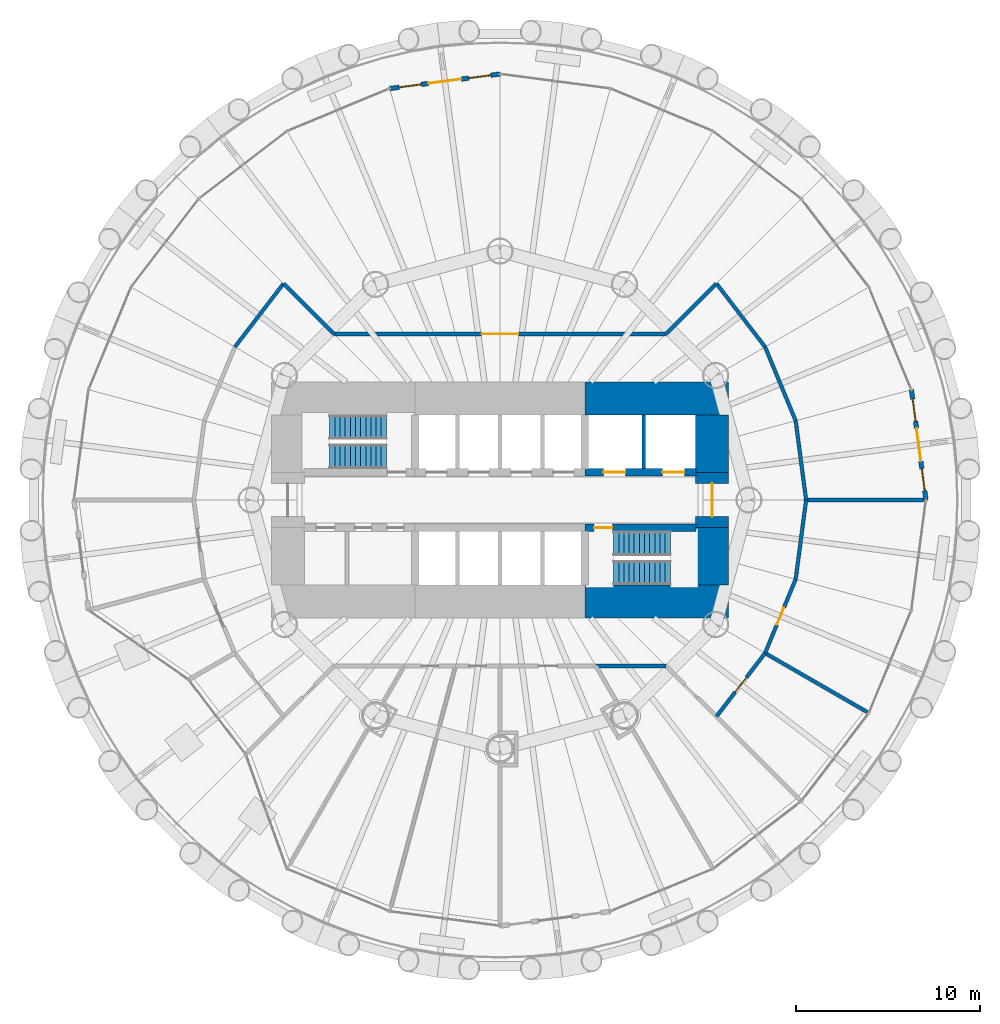
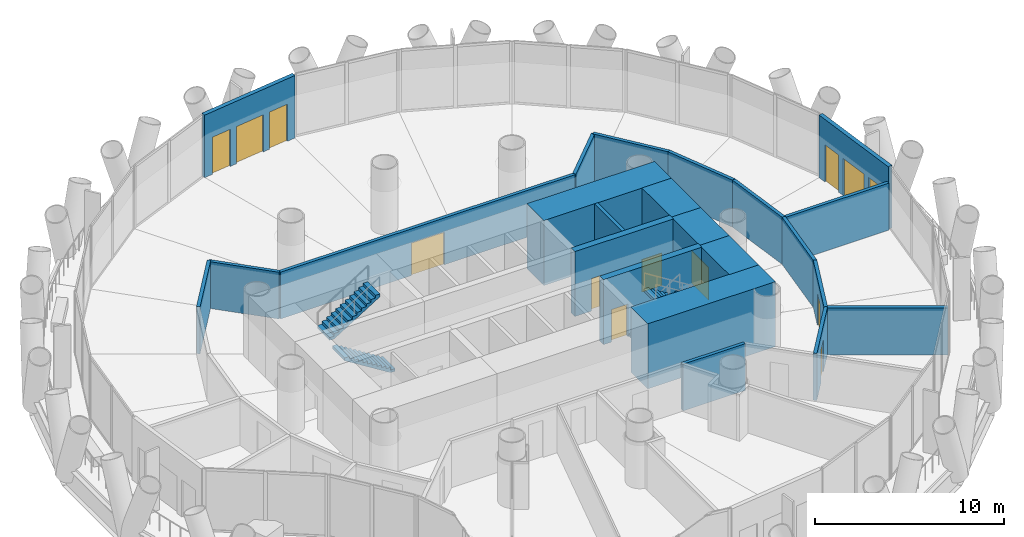
# One storey, part 10 of 14: 23 walls, 9 doors, 4 stair flights, 4 windows, 13 openings, 2 elements without a shape of their own.
"""IFC4 building model written with IfcOpenShell, lengths in metres."""

import ifcopenshell
import ifcopenshell.guid

model = None  # the IFC model being written
_history = None  # IfcOwnerHistory: only IFC2X3 demands one
_inside = {}  # id of a spatial element -> (the spatial element, [elements in it])
_under = {}  # id of a project, library or spatial element -> (it, [spatial elements below it])
_declared = {}  # id of a project -> (the project, [libraries it declares])
_typed = {}  # id of a type object -> (the type object, [elements of that type])
_made_of = {}  # id of a material, layer set ... -> (it, [elements and type objects made of it])


def new_model(schema):
    """Start an empty IFC model of exactly this schema.

    Asked for "IFC4X3", IfcOpenShell would pick the latest addendum, in which some entities
    have other attributes; the version numbers below select the first issue.
    IFC2X3 requires an IfcOwnerHistory on every rooted entity: one is made here for all.
    """
    global model, _history
    if schema == "IFC4X3":
        model = ifcopenshell.file(schema_version=(4, 3, 0, 0))
    else:
        model = ifcopenshell.file(schema=schema)
    _inside.clear()
    _under.clear()
    _declared.clear()
    _typed.clear()
    _made_of.clear()
    _history = None
    if model.schema == "IFC2X3":
        org = make("IfcOrganization", Name="unknown")
        user = make(
            "IfcPersonAndOrganization",
            ThePerson=make("IfcPerson", FamilyName="unknown"),
            TheOrganization=org,
        )
        app = make(
            "IfcApplication",
            ApplicationDeveloper=org,
            Version="unknown",
            ApplicationFullName="unknown",
            ApplicationIdentifier="unknown",
        )
        _history = make(
            "IfcOwnerHistory",
            OwningUser=user,
            OwningApplication=app,
            ChangeAction="ADDED",
            CreationDate=0,
        )
    return model


def make(cls, **values):
    """One entity of the class cls with the attributes given. An attribute that is None is left unset."""
    return model.create_entity(
        cls, **{name: value for name, value in values.items() if value is not None}
    )


def rooted(cls, **values):
    """An entity with a GlobalId (a new one), such as an element, a storey or a relation."""
    return make(cls, GlobalId=ifcopenshell.guid.new(), OwnerHistory=_history, **values)


def si_unit(unit_type, name, prefix=None):
    """IfcSIUnit, for example si_unit("LENGTHUNIT", "METRE", prefix="MILLI")."""
    return make("IfcSIUnit", UnitType=unit_type, Prefix=prefix, Name=name)


def assignment(units):
    """IfcUnitAssignment: the units of a project."""
    return None if units is None else make("IfcUnitAssignment", Units=units)


def point(xyz):
    """IfcCartesianPoint."""
    return None if xyz is None else make("IfcCartesianPoint", Coordinates=xyz)


def direction(xyz):
    """IfcDirection."""
    return None if xyz is None else make("IfcDirection", DirectionRatios=xyz)


def frame(location, z_axis=None, x_axis=None):
    """IfcAxis2Placement3D, a coordinate frame: its origin and axes. An axis left out is left unset."""
    return make(
        "IfcAxis2Placement3D",
        Location=point(location),
        Axis=direction(z_axis),
        RefDirection=direction(x_axis),
    )


def frame_2d(location, x_axis=None):
    """IfcAxis2Placement2D, a coordinate frame in the plane: its origin and x axis."""
    return make(
        "IfcAxis2Placement2D", Location=point(location), RefDirection=direction(x_axis)
    )


def origin():
    """The frame at (0, 0, 0) with its axes left unset."""
    return frame((0.0, 0.0, 0.0))


def place(relative_to, where):
    """IfcLocalPlacement: puts the frame where relative to a parent placement (None: the world)."""
    return make(
        "IfcLocalPlacement", PlacementRelTo=relative_to, RelativePlacement=where
    )


def context(
    kind, dimensions, precision=None, world=None, true_north=None, identifier=None
):
    """IfcGeometricRepresentationContext, for example the 3D "Model" context."""
    return make(
        "IfcGeometricRepresentationContext",
        ContextIdentifier=identifier,
        ContextType=kind,
        CoordinateSpaceDimension=dimensions,
        Precision=precision,
        WorldCoordinateSystem=world,
        TrueNorth=true_north,
    )


def subcontext(parent, identifier, kind, view, scale=None):
    """IfcGeometricRepresentationSubContext, for example "Body" below "Model"."""
    return make(
        "IfcGeometricRepresentationSubContext",
        ContextIdentifier=identifier,
        ContextType=kind,
        ParentContext=parent,
        TargetScale=scale,
        TargetView=view,
    )


def project(units=None, contexts=None):
    """IfcProject with its units and contexts."""
    return rooted(
        "IfcProject",
        Name="project",
        RepresentationContexts=contexts,
        UnitsInContext=assignment(units),
    )


def spatial(cls, under=None, at=None, **own):
    """A site, building, storey or space (cls), placed at a placement, below another one or the project."""
    s = rooted(cls, ObjectPlacement=at, **own)
    if under is not None:
        _under.setdefault(under.id(), (under, []))[1].append(s)
    return s


def polyline(points):
    """IfcPolyline through the points."""
    return make("IfcPolyline", Points=[point(p) for p in points])


def profile(cls, at=None, kind="AREA", **sizes):
    """A parametric profile (cls). Its sizes go by their IFC names, for example OverallWidth=200.0."""
    return make(cls, ProfileType=kind, Position=at, **sizes)


def rectangle(**sizes):
    """IfcRectangleProfileDef."""
    return profile("IfcRectangleProfileDef", **sizes)


def outline(outer, holes=None, kind="AREA"):
    """IfcArbitraryClosedProfileDef: a profile drawn as a closed curve; with holes, ...WithVoids."""
    if holes is None:
        return make("IfcArbitraryClosedProfileDef", ProfileType=kind, OuterCurve=outer)
    return make(
        "IfcArbitraryProfileDefWithVoids",
        ProfileType=kind,
        OuterCurve=outer,
        InnerCurves=holes,
    )


def extrude(swept, where, along, depth):
    """IfcExtrudedAreaSolid: the profile swept, set in the frame where, extruded along a direction by depth."""
    return make(
        "IfcExtrudedAreaSolid",
        SweptArea=swept,
        Position=where,
        ExtrudedDirection=direction(along),
        Depth=depth,
    )


def shape(context_of_items, identifier, shape_type, items):
    """IfcShapeRepresentation: the items that make up one representation, for example the "Body"."""
    return make(
        "IfcShapeRepresentation",
        ContextOfItems=context_of_items,
        RepresentationIdentifier=identifier,
        RepresentationType=shape_type,
        Items=items,
    )


def material(Name=None, Category=None):
    """IfcMaterial."""
    return make("IfcMaterial", Name=Name, Category=Category)


def layer(
    of_material, thickness, ventilated=None, Name=None, Category=None, Priority=None
):
    """IfcMaterialLayer: one layer of a wall or slab, of a material (None: an air gap)."""
    return make(
        "IfcMaterialLayer",
        Material=of_material,
        LayerThickness=thickness,
        IsVentilated=ventilated,
        Name=Name,
        Category=Category,
        Priority=Priority,
    )


def layer_set(layers, Name=None):
    """IfcMaterialLayerSet."""
    return make("IfcMaterialLayerSet", MaterialLayers=layers, LayerSetName=Name)


def made_of(thing, what):
    """Note that an element or type object is made of a material, layer set ...; save() writes the relation."""
    if what is not None:
        _made_of.setdefault(what.id(), (what, []))[1].append(thing)
    return thing


def type_object(cls, material=None, **own):
    """A type object (cls), such as IfcWallType, which elements share."""
    return made_of(rooted(cls, **own), material)


def element(
    cls,
    number,
    at=None,
    inside=None,
    cuts=None,
    type_object=None,
    material=None,
    context=None,
    identifier="Body",
    shape_type=None,
    held_by="IfcProductDefinitionShape",
    body=None,
    shapes=None,
    **own,
):
    """One element of the class cls, such as IfcWall. Its Tag is "e" and its number.

    at: its placement. inside: the storey or other place that contains it. cuts: it is an
    opening in that element (IfcRelVoidsElement). A single representation is given by context,
    identifier, shape_type and body (its items); several are given by shapes. held_by: the class
    of the entity that holds the representations. save() writes the other relations.
    """
    e = rooted(cls, Tag="e%d" % number, ObjectPlacement=at, **own)
    if body is not None:
        shapes = [shape(context, identifier, shape_type, body)]
    if shapes is not None:
        e.Representation = make(held_by, Representations=shapes)
    if inside is not None:
        _inside.setdefault(inside.id(), (inside, []))[1].append(e)
    if cuts is not None:
        rooted(
            "IfcRelVoidsElement", RelatingBuildingElement=cuts, RelatedOpeningElement=e
        )
    if type_object is not None:
        _typed.setdefault(type_object.id(), (type_object, []))[1].append(e)
    return made_of(e, material)


def fill(opening, filler):
    """IfcRelFillsElement: the door or window that sits in an opening."""
    return rooted(
        "IfcRelFillsElement",
        RelatingOpeningElement=opening,
        RelatedBuildingElement=filler,
    )


def aggregate(whole, parts):
    """IfcRelAggregates: a whole, such as a stair, and the parts it consists of."""
    return rooted("IfcRelAggregates", RelatingObject=whole, RelatedObjects=parts)


def save(model, path):
    """Write the relations noted so far, then the file.

    IfcRelAggregates (storeys below a building ...), IfcRelContainedInSpatialStructure (elements
    in a storey), IfcRelDefinesByType, IfcRelAssociatesMaterial and IfcRelDeclares: one each for
    every whole, place, type object, material and project.
    """
    for whole, parts in _under.values():
        aggregate(whole, parts)
    for where, things in _inside.values():
        rooted(
            "IfcRelContainedInSpatialStructure",
            RelatedElements=things,
            RelatingStructure=where,
        )
    for kind, things in _typed.values():
        rooted("IfcRelDefinesByType", RelatedObjects=things, RelatingType=kind)
    for what, things in _made_of.values():
        rooted("IfcRelAssociatesMaterial", RelatedObjects=things, RelatingMaterial=what)
    for by, libraries in _declared.values():
        rooted("IfcRelDeclares", RelatingContext=by, RelatedDefinitions=libraries)
    model.write(path)


model = new_model("IFC4")

# Units and contexts
model_context = context("Model", 3, precision=1e-05, world=origin(), true_north=direction((0.0, 1.0)))
body_context = subcontext(model_context, "Body", "Model", "MODEL_VIEW")
ifc_project = project(units=[si_unit("LENGTHUNIT", "METRE"), si_unit("AREAUNIT", "SQUARE_METRE"), si_unit("VOLUMEUNIT", "CUBIC_METRE"), si_unit("PLANEANGLEUNIT", "RADIAN"), si_unit("MASSUNIT", "GRAM", prefix="KILO")], contexts=[model_context])

# Site, building, storey
site_placement = place(None, origin())
site = spatial("IfcSite", under=ifc_project, at=site_placement, CompositionType="ELEMENT")
building_placement = place(site_placement, origin())
building = spatial("IfcBuilding", under=site, at=building_placement, Name="Qaws Media Tower", CompositionType="ELEMENT")
storey_placement = place(building_placement, frame((0.0, 0.0, 84.800048828125)))
storey = spatial("IfcBuildingStorey", under=building, at=storey_placement, Name="L18", CompositionType="ELEMENT", Elevation=84.800048828125)

# Wall, openings, door, windows
ifc_material_1 = material(Name="Precast concrete, exposed finish", Category="concrete")
ifc_layer_1 = layer(ifc_material_1, 0.25)
ifc_layer_set_1 = layer_set([ifc_layer_1], Name="Balcony door wall 250")
wall_type_1 = type_object("IfcWallType", Name="Balcony door wall 250", PredefinedType="SOLIDWALL", material=ifc_layer_set_1)
wall_1_placement = place(storey_placement, frame((83.10009765625, 50.0, 0.0), z_axis=(0.0, 0.0, 1.0), x_axis=(-0.130524679454, 0.991445060532, 0.0)))
wall_1 = element("IfcWall", 1, at=wall_1_placement, inside=storey, type_object=wall_type_1, Name="W156 EW1 balcony door wall L18-01", PredefinedType="SOLIDWALL", context=body_context, shape_type="SweptSolid", body=[
    extrude(rectangle(XDim=6.0302734375, YDim=0.25, at=frame_2d((3.01513671875, 0.0))), origin(), (0.0, 0.0, 1.0), 4.0400390625),
])
opening_1_placement = place(wall_1_placement, frame((2.115234375, 0.0, 0.0)))
opening_1 = element("IfcOpeningElement", 2, at=opening_1_placement, cuts=wall_1, Name="Opening D7", PredefinedType="OPENING", context=body_context, shape_type="SweptSolid", body=[
    extrude(rectangle(XDim=1.800048828125, YDim=2.39990234375, at=frame_2d((0.89990234375, 1.199951171875))), frame((0.0, 0.135009765625, 0.0), z_axis=(0.0, -1.0, 0.0), x_axis=(1.0, 0.0, 0.0)), (0.0, 0.0, 1.0), 0.27001953125),
])
opening_2_placement = place(wall_1_placement, frame((0.51513671875, 0.0, 0.0)))
opening_2 = element("IfcOpeningElement", 3, at=opening_2_placement, cuts=wall_1, Name="Opening W1", PredefinedType="OPENING", context=body_context, shape_type="SweptSolid", body=[
    extrude(rectangle(XDim=1.199951171875, YDim=2.39990234375, at=frame_2d((0.60009765625, 1.199951171875))), frame((0.0, 0.135009765625, 0.0), z_axis=(0.0, -1.0, 0.0), x_axis=(1.0, 0.0, 0.0)), (0.0, 0.0, 1.0), 0.27001953125),
])
opening_3_placement = place(wall_1_placement, frame((4.315185546875, 0.0, 0.0)))
opening_3 = element("IfcOpeningElement", 4, at=opening_3_placement, cuts=wall_1, Name="Opening W1", PredefinedType="OPENING", context=body_context, shape_type="SweptSolid", body=[
    extrude(rectangle(XDim=1.199951171875, YDim=2.39990234375, at=frame_2d((0.60009765625, 1.199951171875))), frame((0.0, 0.135009765625, 0.0), z_axis=(0.0, -1.0, 0.0), x_axis=(1.0, 0.0, 0.0)), (0.0, 0.0, 1.0), 0.27001953125),
])
ifc_material_2 = material(Name="Aluminium and clear glass", Category="aluminium")
door_type_1 = type_object("IfcDoorType", Name="Balcony door pair 1800", OperationType="DOUBLE_DOOR_SLIDING", PredefinedType="DOOR", material=ifc_material_2)
door_1_placement = place(opening_1_placement, origin())
door_1 = element("IfcDoor", 5, at=door_1_placement, inside=storey, type_object=door_type_1, Name="D7 balcony door L18-01 in wall W156", OperationType="DOUBLE_DOOR_SLIDING", OverallHeight=2.39990234375, OverallWidth=1.800048828125, PredefinedType="DOOR", context=body_context, shape_type="SweptSolid", body=[
    extrude(rectangle(XDim=1.800048828125, YDim=2.39990234375, at=frame_2d((0.89990234375, 1.199951171875))), frame((0.0, 0.02490234375, 0.0), z_axis=(0.0, -1.0, 0.0), x_axis=(1.0, 0.0, 0.0)), (0.0, 0.0, 1.0), 0.050048828125),
])
fill(opening_1, door_1)
ifc_material_3 = material(Name="Aluminium and clear glass", Category="aluminium")
window_type = type_object("IfcWindowType", Name="Balcony side window 1200", PartitioningType="SINGLE_PANEL", PredefinedType="WINDOW", material=ifc_material_3)
window_1_placement = place(opening_2_placement, origin())
window_1 = element("IfcWindow", 6, at=window_1_placement, inside=storey, type_object=window_type, Name="W1 balcony side light L18-01L", OverallHeight=2.39990234375, OverallWidth=1.199951171875, PartitioningType="SINGLE_PANEL", PredefinedType="WINDOW", context=body_context, shape_type="SweptSolid", body=[
    extrude(rectangle(XDim=1.199951171875, YDim=2.39990234375, at=frame_2d((0.60009765625, 1.199951171875))), frame((0.0, 0.030029296875, 0.0), z_axis=(0.0, -1.0, 0.0), x_axis=(1.0, 0.0, 0.0)), (0.0, 0.0, 1.0), 0.06005859375),
])
fill(opening_2, window_1)
window_2_placement = place(opening_3_placement, origin())
window_2 = element("IfcWindow", 7, at=window_2_placement, inside=storey, type_object=window_type, Name="W1 balcony side light L18-01R", OverallHeight=2.39990234375, OverallWidth=1.199951171875, PartitioningType="SINGLE_PANEL", PredefinedType="WINDOW", context=body_context, shape_type="SweptSolid", body=[
    extrude(rectangle(XDim=1.199951171875, YDim=2.39990234375, at=frame_2d((0.60009765625, 1.199951171875))), frame((0.0, 0.030029296875, 0.0), z_axis=(0.0, -1.0, 0.0), x_axis=(1.0, 0.0, 0.0)), (0.0, 0.0, 1.0), 0.06005859375),
])
fill(opening_3, window_2)

wall_2_placement = place(storey_placement, frame((60.0, 73.10009765625, 0.0), z_axis=(0.0, 0.0, 1.0), x_axis=(-0.991445060532, -0.130524679454, 0.0)))
wall_2 = element("IfcWall", 8, at=wall_2_placement, inside=storey, type_object=wall_type_1, Name="W155 EW1 balcony door wall L18-07", PredefinedType="SOLIDWALL", context=body_context, shape_type="SweptSolid", body=[
    extrude(rectangle(XDim=6.0302734375, YDim=0.25, at=frame_2d((3.01513671875, 0.0))), origin(), (0.0, 0.0, 1.0), 4.0400390625),
])
opening_4_placement = place(wall_2_placement, frame((2.115234375, 0.0, 0.0)))
opening_4 = element("IfcOpeningElement", 9, at=opening_4_placement, cuts=wall_2, Name="Opening D7", PredefinedType="OPENING", context=body_context, shape_type="SweptSolid", body=[
    extrude(rectangle(XDim=1.800048828125, YDim=2.39990234375, at=frame_2d((0.89990234375, 1.199951171875))), frame((0.0, 0.135009765625, 0.0), z_axis=(0.0, -1.0, 0.0), x_axis=(1.0, 0.0, 0.0)), (0.0, 0.0, 1.0), 0.27001953125),
])
opening_5_placement = place(wall_2_placement, frame((0.51513671875, 0.0, 0.0)))
opening_5 = element("IfcOpeningElement", 10, at=opening_5_placement, cuts=wall_2, Name="Opening W1", PredefinedType="OPENING", context=body_context, shape_type="SweptSolid", body=[
    extrude(rectangle(XDim=1.199951171875, YDim=2.39990234375, at=frame_2d((0.60009765625, 1.199951171875))), frame((0.0, 0.135009765625, 0.0), z_axis=(0.0, -1.0, 0.0), x_axis=(1.0, 0.0, 0.0)), (0.0, 0.0, 1.0), 0.27001953125),
])
opening_6_placement = place(wall_2_placement, frame((4.315185546875, 0.0, 0.0)))
opening_6 = element("IfcOpeningElement", 11, at=opening_6_placement, cuts=wall_2, Name="Opening W1", PredefinedType="OPENING", context=body_context, shape_type="SweptSolid", body=[
    extrude(rectangle(XDim=1.199951171875, YDim=2.39990234375, at=frame_2d((0.60009765625, 1.199951171875))), frame((0.0, 0.135009765625, 0.0), z_axis=(0.0, -1.0, 0.0), x_axis=(1.0, 0.0, 0.0)), (0.0, 0.0, 1.0), 0.27001953125),
])
door_2_placement = place(opening_4_placement, origin())
door_2 = element("IfcDoor", 12, at=door_2_placement, inside=storey, type_object=door_type_1, Name="D7 balcony door L18-07 in wall W155", OperationType="DOUBLE_DOOR_SLIDING", OverallHeight=2.39990234375, OverallWidth=1.800048828125, PredefinedType="DOOR", context=body_context, shape_type="SweptSolid", body=[
    extrude(rectangle(XDim=1.800048828125, YDim=2.39990234375, at=frame_2d((0.89990234375, 1.199951171875))), frame((0.0, 0.02490234375, 0.0), z_axis=(0.0, -1.0, 0.0), x_axis=(1.0, 0.0, 0.0)), (0.0, 0.0, 1.0), 0.050048828125),
])
fill(opening_4, door_2)
window_3_placement = place(opening_5_placement, origin())
window_3 = element("IfcWindow", 13, at=window_3_placement, inside=storey, type_object=window_type, Name="W1 balcony side light L18-07L", OverallHeight=2.39990234375, OverallWidth=1.199951171875, PartitioningType="SINGLE_PANEL", PredefinedType="WINDOW", context=body_context, shape_type="SweptSolid", body=[
    extrude(rectangle(XDim=1.199951171875, YDim=2.39990234375, at=frame_2d((0.60009765625, 1.199951171875))), frame((0.0, 0.030029296875, 0.0), z_axis=(0.0, -1.0, 0.0), x_axis=(1.0, 0.0, 0.0)), (0.0, 0.0, 1.0), 0.06005859375),
])
fill(opening_5, window_3)
window_4_placement = place(opening_6_placement, origin())
window_4 = element("IfcWindow", 14, at=window_4_placement, inside=storey, type_object=window_type, Name="W1 balcony side light L18-07R", OverallHeight=2.39990234375, OverallWidth=1.199951171875, PartitioningType="SINGLE_PANEL", PredefinedType="WINDOW", context=body_context, shape_type="SweptSolid", body=[
    extrude(rectangle(XDim=1.199951171875, YDim=2.39990234375, at=frame_2d((0.60009765625, 1.199951171875))), frame((0.0, 0.030029296875, 0.0), z_axis=(0.0, -1.0, 0.0), x_axis=(1.0, 0.0, 0.0)), (0.0, 0.0, 1.0), 0.06005859375),
])
fill(opening_6, window_4)

# Wall, openings, doors
ifc_material_4 = material(Name="Concrete C60/75", Category="concrete")
ifc_layer_2 = layer(ifc_material_4, 0.39990234375)
ifc_layer_set_2 = layer_set([ifc_layer_2], Name="Core inner wall 400")
wall_type_2 = type_object("IfcWallType", Name="Core inner wall 400", PredefinedType="SHEAR", material=ifc_layer_set_2)
wall_3_placement = place(storey_placement, frame((64.60009765625, 51.5, 0.0), z_axis=(0.0, 0.0, 1.0), x_axis=(1.0, 0.0, 0.0)))
wall_3 = element("IfcWall", 15, at=wall_3_placement, inside=storey, type_object=wall_type_2, Name="W318 SW4 core wall SPNE L18", PredefinedType="SHEAR", context=body_context, shape_type="SweptSolid", body=[
    extrude(rectangle(XDim=6.02001953125, YDim=0.39990234375, at=frame_2d((3.010009765625, 0.0))), origin(), (0.0, 0.0, 1.0), 4.199951171875),
])
opening_7_placement = place(wall_3_placement, frame((1.0, 0.0, 0.0)))
opening_7 = element("IfcOpeningElement", 16, at=opening_7_placement, cuts=wall_3, Name="Opening LD2", PredefinedType="OPENING", context=body_context, shape_type="SweptSolid", body=[
    extrude(rectangle(XDim=1.199951171875, YDim=2.10009765625, at=frame_2d((0.60009765625, 1.050048828125))), frame((0.0, 0.2099609375, 0.0), z_axis=(0.0, -1.0, 0.0), x_axis=(1.0, 0.0, 0.0)), (0.0, 0.0, 1.0), 0.419921875),
])
opening_8_placement = place(wall_3_placement, frame((4.199951171875, 0.0, 0.0)))
opening_8 = element("IfcOpeningElement", 17, at=opening_8_placement, cuts=wall_3, Name="Opening LD2", PredefinedType="OPENING", context=body_context, shape_type="SweptSolid", body=[
    extrude(rectangle(XDim=1.199951171875, YDim=2.10009765625, at=frame_2d((0.60009765625, 1.050048828125))), frame((0.0, 0.2099609375, 0.0), z_axis=(0.0, -1.0, 0.0), x_axis=(1.0, 0.0, 0.0)), (0.0, 0.0, 1.0), 0.419921875),
])
ifc_material_5 = material(Name="Steel, fire rated", Category="steel")
door_type_2 = type_object("IfcDoorType", Name="Lift landing door 1200", OperationType="SLIDING_TO_LEFT", PredefinedType="DOOR", material=ifc_material_5)
door_3_placement = place(opening_7_placement, origin())
door_3 = element("IfcDoor", 18, at=door_3_placement, inside=storey, type_object=door_type_2, Name="FL1 landing door L18 in wall W318", OperationType="SLIDING_TO_LEFT", OverallHeight=2.10009765625, OverallWidth=1.199951171875, PredefinedType="DOOR", context=body_context, shape_type="SweptSolid", body=[
    extrude(rectangle(XDim=1.199951171875, YDim=2.10009765625, at=frame_2d((0.60009765625, 1.050048828125))), frame((0.0, 0.02490234375, 0.0), z_axis=(0.0, -1.0, 0.0), x_axis=(1.0, 0.0, 0.0)), (0.0, 0.0, 1.0), 0.050048828125),
])
fill(opening_7, door_3)
door_4_placement = place(opening_8_placement, origin())
door_4 = element("IfcDoor", 19, at=door_4_placement, inside=storey, type_object=door_type_2, Name="FL2 landing door L18 in wall W318", OperationType="SLIDING_TO_LEFT", OverallHeight=2.10009765625, OverallWidth=1.199951171875, PredefinedType="DOOR", context=body_context, shape_type="SweptSolid", body=[
    extrude(rectangle(XDim=1.199951171875, YDim=2.10009765625, at=frame_2d((0.60009765625, 1.050048828125))), frame((0.0, 0.02490234375, 0.0), z_axis=(0.0, -1.0, 0.0), x_axis=(1.0, 0.0, 0.0)), (0.0, 0.0, 1.0), 0.050048828125),
])
fill(opening_8, door_4)

# Wall, opening, door
wall_4_placement = place(storey_placement, frame((64.60009765625, 48.5, 0.0), z_axis=(0.0, 0.0, 1.0), x_axis=(1.0, 0.0, 0.0)))
wall_4 = element("IfcWall", 20, at=wall_4_placement, inside=storey, type_object=wall_type_2, Name="W317 SW4 core wall SPSE L18", PredefinedType="SHEAR", context=body_context, shape_type="SweptSolid", body=[
    extrude(rectangle(XDim=6.02001953125, YDim=0.39990234375, at=frame_2d((3.010009765625, 0.0))), origin(), (0.0, 0.0, 1.0), 4.199951171875),
])
opening_9_placement = place(wall_4_placement, frame((0.5, 0.0, 0.0)))
opening_9 = element("IfcOpeningElement", 21, at=opening_9_placement, cuts=wall_4, Name="Opening D1", PredefinedType="OPENING", context=body_context, shape_type="SweptSolid", body=[
    extrude(rectangle(XDim=1.0, YDim=2.10009765625, at=frame_2d((0.5, 1.050048828125))), frame((0.0, 0.2099609375, 0.0), z_axis=(0.0, -1.0, 0.0), x_axis=(1.0, 0.0, 0.0)), (0.0, 0.0, 1.0), 0.419921875),
])
ifc_material_6 = material(Name="Steel, fire rated", Category="steel")
door_type_3 = type_object("IfcDoorType", Name="Stair door 1000 FD120", OperationType="SINGLE_SWING_LEFT", PredefinedType="DOOR", material=ifc_material_6)
door_5_placement = place(opening_9_placement, origin())
door_5 = element("IfcDoor", 22, at=door_5_placement, inside=storey, type_object=door_type_3, Name="D1 stair S2 door L18 in wall W317", OperationType="SINGLE_SWING_LEFT", OverallHeight=2.10009765625, OverallWidth=1.0, PredefinedType="DOOR", context=body_context, shape_type="SweptSolid", body=[
    extrude(rectangle(XDim=1.0, YDim=2.10009765625, at=frame_2d((0.5, 1.050048828125))), frame((0.0, 0.02490234375, 0.0), z_axis=(0.0, -1.0, 0.0), x_axis=(1.0, 0.0, 0.0)), (0.0, 0.0, 1.0), 0.050048828125),
])
fill(opening_9, door_5)

# Walls
ifc_material_7 = material(Name="Concrete C60/75", Category="concrete")
ifc_layer_3 = layer(ifc_material_7, 1.800048828125)
ifc_layer_set_3 = layer_set([ifc_layer_3], Name="Core wall 1800")
wall_type_3 = type_object("IfcWallType", Name="Core wall 1800", PredefinedType="SHEAR", material=ifc_layer_set_3)
for number, where, z_axis, x_axis, name in (
    (23, (64.60009765625, 55.5, 0.0), (0.0, 0.0, 1.0), (1.0, 0.0, 0.0), "W406 SW11 core wall NE L18"),
    (24, (64.60009765625, 44.5, 0.0), (0.0, 0.0, 1.0), (1.0, 0.0, 0.0), "W405 SW11 core wall SE L18"),
):
    element("IfcWall", number, at=place(storey_placement, frame(where, z_axis=z_axis, x_axis=x_axis)), inside=storey, type_object=wall_type_3, Name=name, PredefinedType="SHEAR", context=body_context, shape_type="SweptSolid", body=[
        extrude(rectangle(XDim=7.7998046875, YDim=1.800048828125, at=frame_2d((3.89990234375, 0.0))), origin(), (0.0, 0.0, 1.0), 4.199951171875),
    ])
wall_5_placement = place(storey_placement, frame((71.5, 45.3798828125, 0.0), z_axis=(0.0, 0.0, 1.0), x_axis=(0.0, 1.0, 0.0)))
element("IfcWall", 25, at=wall_5_placement, inside=storey, type_object=wall_type_3, Name="W407 SW11 core wall ES L18", PredefinedType="SHEAR", context=body_context, shape_type="SweptSolid", body=[
    extrude(rectangle(XDim=3.1201171875, YDim=1.800048828125, at=frame_2d((1.56005859375, 0.0))), origin(), (0.0, 0.0, 1.0), 4.199951171875),
])

# Wall, opening, door
wall_6_placement = place(storey_placement, frame((71.5, 48.5, 0.0), z_axis=(0.0, 0.0, 1.0), x_axis=(0.0, 1.0, 0.0)))
wall_6 = element("IfcWall", 26, at=wall_6_placement, inside=storey, type_object=wall_type_3, Name="W408 SW11 core wall E L18", PredefinedType="SHEAR", context=body_context, shape_type="SweptSolid", body=[
    extrude(rectangle(XDim=3.0, YDim=1.800048828125, at=frame_2d((1.5, 0.0))), origin(), (0.0, 0.0, 1.0), 4.199951171875),
])
opening_10_placement = place(wall_6_placement, frame((0.60009765625, 0.0, 0.0)))
opening_10 = element("IfcOpeningElement", 27, at=opening_10_placement, cuts=wall_6, Name="Opening D2", PredefinedType="OPENING", context=body_context, shape_type="SweptSolid", body=[
    extrude(rectangle(XDim=1.800048828125, YDim=2.10009765625, at=frame_2d((0.89990234375, 1.050048828125))), frame((0.0, 0.909912109375, 0.0), z_axis=(0.0, -1.0, 0.0), x_axis=(1.0, 0.0, 0.0)), (0.0, 0.0, 1.0), 1.820068359375),
])
ifc_material_8 = material(Name="Steel and glass, fire rated", Category="steel")
door_type_4 = type_object("IfcDoorType", Name="Lobby door pair 1800 FD60", OperationType="DOUBLE_DOOR_DOUBLE_SWING", PredefinedType="DOOR", material=ifc_material_8)
door_6_placement = place(opening_10_placement, origin())
door_6 = element("IfcDoor", 28, at=door_6_placement, inside=storey, type_object=door_type_4, Name="D2 core lobby door E L18 in wall W408", OperationType="DOUBLE_DOOR_DOUBLE_SWING", OverallHeight=2.10009765625, OverallWidth=1.800048828125, PredefinedType="DOOR", context=body_context, shape_type="SweptSolid", body=[
    extrude(rectangle(XDim=1.800048828125, YDim=2.10009765625, at=frame_2d((0.89990234375, 1.050048828125))), frame((0.0, 0.02490234375, 0.0), z_axis=(0.0, -1.0, 0.0), x_axis=(1.0, 0.0, 0.0)), (0.0, 0.0, 1.0), 0.050048828125),
])
fill(opening_10, door_6)

# Walls
wall_7_placement = place(storey_placement, frame((71.5, 51.5, 0.0), z_axis=(0.0, 0.0, 1.0), x_axis=(0.0, 1.0, 0.0)))
element("IfcWall", 29, at=wall_7_placement, inside=storey, type_object=wall_type_3, Name="W409 SW11 core wall EN L18", PredefinedType="SHEAR", context=body_context, shape_type="SweptSolid", body=[
    extrude(rectangle(XDim=3.1201171875, YDim=1.800048828125, at=frame_2d((1.56005859375, 0.0))), origin(), (0.0, 0.0, 1.0), 4.199951171875),
])
ifc_material_9 = material(Name="Gypsum board on galvanised metal studs, acoustic double stud, deflection head", Category="gypsum")
ifc_layer_4 = layer(ifc_material_9, 0.199951171875)
ifc_layer_set_4 = layer_set([ifc_layer_4], Name="Room partition 200")
wall_type_4 = type_object("IfcWallType", Name="Room partition 200", PredefinedType="PARTITIONING", material=ifc_layer_set_4)
wall_8_placement = place(storey_placement, frame((45.6240234375, 58.300048828125, 0.0), z_axis=(0.0, 0.0, 1.0), x_axis=(0.60874374674, 0.79336690806, 0.0)))
element("IfcWall", 30, at=wall_8_placement, inside=storey, type_object=wall_type_4, Name="W992 IW3 partition L18", PredefinedType="PARTITIONING", context=body_context, shape_type="SweptSolid", body=[
    extrude(rectangle(XDim=4.33349609375, YDim=0.199951171875, at=frame_2d((2.166748046875, 0.0))), origin(), (0.0, 0.0, 1.0), 3.0400390625),
])
wall_9_placement = place(storey_placement, frame((48.261962890625, 61.738037109375, 0.0), z_axis=(0.0, 0.0, 1.0), x_axis=(0.707106781187, -0.707106781187, 0.0)))
element("IfcWall", 31, at=wall_9_placement, inside=storey, type_object=wall_type_4, Name="W994 IW3 partition L18", PredefinedType="PARTITIONING", context=body_context, shape_type="SweptSolid", body=[
    extrude(rectangle(XDim=3.8720703125, YDim=0.199951171875, at=frame_2d((1.93603515625, 0.0))), origin(), (0.0, 0.0, 1.0), 3.02001953125),
])

# Wall, opening, door
wall_10_placement = place(storey_placement, frame((51.0, 59.0, 0.0), z_axis=(0.0, 0.0, 1.0), x_axis=(1.0, 0.0, 0.0)))
wall_10 = element("IfcWall", 32, at=wall_10_placement, inside=storey, type_object=wall_type_4, Name="W1098 IW3 partition L18", PredefinedType="PARTITIONING", context=body_context, shape_type="SweptSolid", body=[
    extrude(rectangle(XDim=18.0, YDim=0.199951171875, at=frame_2d((9.0, 0.0))), origin(), (0.0, 0.0, 1.0), 3.02001953125),
])
opening_11_placement = place(wall_10_placement, frame((8.0, 0.0, 0.0)))
opening_11 = element("IfcOpeningElement", 33, at=opening_11_placement, cuts=wall_10, Name="Opening D6", PredefinedType="OPENING", context=body_context, shape_type="SweptSolid", body=[
    extrude(rectangle(XDim=2.0, YDim=2.10009765625, at=frame_2d((1.0, 1.050048828125))), frame((0.0, 0.10986328125, 0.0), z_axis=(0.0, -1.0, 0.0), x_axis=(1.0, 0.0, 0.0)), (0.0, 0.0, 1.0), 0.219970703125),
])
ifc_material_10 = material(Name="Steel, acoustic, fire rated", Category="steel")
door_type_5 = type_object("IfcDoorType", Name="Room door pair 2000", OperationType="DOUBLE_DOOR_DOUBLE_SWING", PredefinedType="DOOR", material=ifc_material_10)
door_7_placement = place(opening_11_placement, origin())
door_7 = element("IfcDoor", 34, at=door_7_placement, inside=storey, type_object=door_type_5, Name="D6 Newsroom door L18 in wall W1098", OperationType="DOUBLE_DOOR_DOUBLE_SWING", OverallHeight=2.10009765625, OverallWidth=2.0, PredefinedType="DOOR", context=body_context, shape_type="SweptSolid", body=[
    extrude(rectangle(XDim=2.0, YDim=2.10009765625, at=frame_2d((1.0, 1.050048828125))), frame((0.0, 0.02490234375, 0.0), z_axis=(0.0, -1.0, 0.0), x_axis=(1.0, 0.0, 0.0)), (0.0, 0.0, 1.0), 0.050048828125),
])
fill(opening_11, door_7)

# Walls
wall_11_placement = place(storey_placement, frame((69.0, 59.0, 0.0), z_axis=(0.0, 0.0, 1.0), x_axis=(0.707106781187, 0.707106781187, 0.0)))
element("IfcWall", 35, at=wall_11_placement, inside=storey, type_object=wall_type_4, Name="W1011 IW3 partition L18", PredefinedType="PARTITIONING", context=body_context, shape_type="SweptSolid", body=[
    extrude(rectangle(XDim=3.8720703125, YDim=0.199951171875, at=frame_2d((1.93603515625, 0.0))), origin(), (0.0, 0.0, 1.0), 3.02001953125),
])
for number, where, z_axis, x_axis, name in (
    (36, (71.738037109375, 61.738037109375, 0.0), (0.0, 0.0, 1.0), (0.60874374674, -0.79336690806, 0.0), "W1012 IW3 partition L18"),
    (37, (74.3759765625, 58.300048828125, 0.0), (0.0, 0.0, 1.0), (0.382698425325, -0.923873322082, 0.0), "W1014 IW3 partition L18"),
    (38, (76.034423828125, 54.29638671875, 0.0), (0.0, 0.0, 1.0), (0.130536124221, -0.99144355375, 0.0), "W1016 IW3 partition L18"),
    (39, (76.60009765625, 50.0, 0.0), (0.0, 0.0, 1.0), (-0.130536124221, -0.99144355375, 0.0), "W1017 IW3 partition L18"),
):
    element("IfcWall", number, at=place(storey_placement, frame(where, z_axis=z_axis, x_axis=x_axis)), inside=storey, type_object=wall_type_4, Name=name, PredefinedType="PARTITIONING", context=body_context, shape_type="SweptSolid", body=[
        extrude(rectangle(XDim=4.33349609375, YDim=0.199951171875, at=frame_2d((2.166748046875, 0.0))), origin(), (0.0, 0.0, 1.0), 3.0400390625),
    ])

# Wall, opening, door
wall_12_placement = place(storey_placement, frame((76.034423828125, 45.70361328125, 0.0), z_axis=(0.0, 0.0, 1.0), x_axis=(-0.382698425325, -0.923873322082, 0.0)))
wall_12 = element("IfcWall", 40, at=wall_12_placement, inside=storey, type_object=wall_type_4, Name="W1015 IW3 partition L18", PredefinedType="PARTITIONING", context=body_context, shape_type="SweptSolid", body=[
    extrude(rectangle(XDim=4.33349609375, YDim=0.199951171875, at=frame_2d((2.166748046875, 0.0))), origin(), (0.0, 0.0, 1.0), 3.0400390625),
])
opening_12_placement = place(wall_12_placement, frame((1.666748046875, 0.0, 0.0)))
opening_12 = element("IfcOpeningElement", 41, at=opening_12_placement, cuts=wall_12, Name="Opening D5", PredefinedType="OPENING", context=body_context, shape_type="SweptSolid", body=[
    extrude(rectangle(XDim=1.0, YDim=2.10009765625, at=frame_2d((0.5, 1.050048828125))), frame((0.0, 0.10986328125, 0.0), z_axis=(0.0, -1.0, 0.0), x_axis=(1.0, 0.0, 0.0)), (0.0, 0.0, 1.0), 0.219970703125),
])
ifc_material_11 = material(Name="Timber veneered, acoustic seal", Category="wood")
door_type_6 = type_object("IfcDoorType", Name="Room door 1000", OperationType="SINGLE_SWING_LEFT", PredefinedType="DOOR", material=ifc_material_11)
door_8_placement = place(opening_12_placement, origin())
door_8 = element("IfcDoor", 42, at=door_8_placement, inside=storey, type_object=door_type_6, Name="D5 Newsroom door L18 in wall W1015", OperationType="SINGLE_SWING_LEFT", OverallHeight=2.10009765625, OverallWidth=1.0, PredefinedType="DOOR", context=body_context, shape_type="SweptSolid", body=[
    extrude(rectangle(XDim=1.0, YDim=2.10009765625, at=frame_2d((0.5, 1.050048828125))), frame((0.0, 0.02490234375, 0.0), z_axis=(0.0, -1.0, 0.0), x_axis=(1.0, 0.0, 0.0)), (0.0, 0.0, 1.0), 0.050048828125),
])
fill(opening_12, door_8)

wall_13_placement = place(storey_placement, frame((74.3759765625, 41.699951171875, 0.0), z_axis=(0.0, 0.0, 1.0), x_axis=(-0.60874374674, -0.79336690806, 0.0)))
wall_13 = element("IfcWall", 43, at=wall_13_placement, inside=storey, type_object=wall_type_4, Name="W1013 IW3 partition L18", PredefinedType="PARTITIONING", context=body_context, shape_type="SweptSolid", body=[
    extrude(rectangle(XDim=4.33349609375, YDim=0.199951171875, at=frame_2d((2.166748046875, 0.0))), origin(), (0.0, 0.0, 1.0), 3.0400390625),
])
opening_13_placement = place(wall_13_placement, frame((1.666748046875, 0.0, 0.0)))
opening_13 = element("IfcOpeningElement", 44, at=opening_13_placement, cuts=wall_13, Name="Opening D5", PredefinedType="OPENING", context=body_context, shape_type="SweptSolid", body=[
    extrude(rectangle(XDim=1.0, YDim=2.10009765625, at=frame_2d((0.5, 1.050048828125))), frame((0.0, 0.10986328125, 0.0), z_axis=(0.0, -1.0, 0.0), x_axis=(1.0, 0.0, 0.0)), (0.0, 0.0, 1.0), 0.219970703125),
])
door_9_placement = place(opening_13_placement, origin())
door_9 = element("IfcDoor", 45, at=door_9_placement, inside=storey, type_object=door_type_6, Name="D5 Ladies toilets door L18 in wall W1013", OperationType="SINGLE_SWING_LEFT", OverallHeight=2.10009765625, OverallWidth=1.0, PredefinedType="DOOR", context=body_context, shape_type="SweptSolid", body=[
    extrude(rectangle(XDim=1.0, YDim=2.10009765625, at=frame_2d((0.5, 1.050048828125))), frame((0.0, 0.02490234375, 0.0), z_axis=(0.0, -1.0, 0.0), x_axis=(1.0, 0.0, 0.0)), (0.0, 0.0, 1.0), 0.050048828125),
])
fill(opening_13, door_9)

# Walls
wall_14_placement = place(storey_placement, frame((69.0, 41.0, 0.0), z_axis=(0.0, 0.0, 1.0), x_axis=(-1.0, 0.0, 0.0)))
element("IfcWall", 46, at=wall_14_placement, inside=storey, type_object=wall_type_4, Name="W1009 IW3 partition L18", PredefinedType="PARTITIONING", context=body_context, shape_type="SweptSolid", body=[
    extrude(rectangle(XDim=3.8037109375, YDim=0.199951171875, at=frame_2d((1.90185546875, 0.0))), origin(), (0.0, 0.0, 1.0), 3.02001953125),
])
wall_15_placement = place(storey_placement, frame((76.60009765625, 50.0, 0.0), z_axis=(0.0, 0.0, 1.0), x_axis=(1.0, 0.0, 0.0)))
element("IfcWall", 47, at=wall_15_placement, inside=storey, type_object=wall_type_4, Name="W1107 IW3 partition L18", PredefinedType="PARTITIONING", context=body_context, shape_type="SweptSolid", body=[
    extrude(rectangle(XDim=6.35986328125, YDim=0.199951171875, at=frame_2d((3.179931640625, 0.0))), origin(), (0.0, 0.0, 1.0), 3.0400390625),
])
wall_16_placement = place(storey_placement, frame((74.3759765625, 41.699951171875, 0.0), z_axis=(0.0, 0.0, 1.0), x_axis=(0.866025099701, -0.500000526688, 0.0)))
element("IfcWall", 48, at=wall_16_placement, inside=storey, type_object=wall_type_4, Name="W1106 IW3 partition L18", PredefinedType="PARTITIONING", context=body_context, shape_type="SweptSolid", body=[
    extrude(rectangle(XDim=6.4599609375, YDim=0.199951171875, at=frame_2d((3.22998046875, 0.0))), origin(), (0.0, 0.0, 1.0), 3.0400390625),
])
ifc_material_12 = material(Name="Fire-rated gypsum board shaft wall on galvanised metal studs, deflection head", Category="gypsum")
ifc_layer_5 = layer(ifc_material_12, 0.199951171875)
ifc_layer_set_5 = layer_set([ifc_layer_5], Name="Shaft wall 200")
wall_type_5 = type_object("IfcWallType", Name="Shaft wall 200", PredefinedType="PARTITIONING", material=ifc_layer_set_5)
wall_17_placement = place(storey_placement, frame((67.800048828125, 51.699951171875, 0.0), z_axis=(0.0, 0.0, 1.0), x_axis=(0.0, 1.0, 0.0)))
element("IfcWall", 49, at=wall_17_placement, inside=storey, type_object=wall_type_5, Name="W1845 IW1 shaft wall FL L18", PredefinedType="PARTITIONING", context=body_context, shape_type="SweptSolid", body=[
    extrude(rectangle(XDim=2.900146484375, YDim=0.199951171875, at=frame_2d((1.4501953125, 0.0))), origin(), (0.0, 0.0, 1.0), 4.199951171875),
])

# Stair, stair flights
ifc_material_13 = material(Name="Concrete C40/50", Category="concrete")
stair_type = type_object("IfcStairType", Name="Exit stair", PredefinedType="HALF_TURN_STAIR", material=ifc_material_13)
stair_1_placement = place(storey_placement, origin())
stair_1 = element("IfcStair", 50, at=stair_1_placement, inside=storey, type_object=stair_type, Name="S1 exit stair L18", PredefinedType="HALF_TURN_STAIR")
ifc_material_14 = material(Name="Concrete C40/50", Category="concrete")
stair_flight_type = type_object("IfcStairFlightType", Name="Stair flight 1310", PredefinedType="STRAIGHT", material=ifc_material_14)
stair_flight_1_placement = place(storey_placement, frame((53.840087890625, 52.35498046875, 0.0), z_axis=(0.0, 0.0, 1.0), x_axis=(-1.0, 0.0, 0.0)))
stair_flight_1 = element("IfcStairFlight", 51, at=stair_flight_1_placement, type_object=stair_flight_type, Name="S1 flight 1", NumberOfRisers=12, NumberOfTreads=11, PredefinedType="STRAIGHT", RiserHeight=0.175, TreadLength=0.28, context=body_context, shape_type="SweptSolid", body=[
    extrude(outline(polyline([(0.0, 0.0), (0.0, 0.175048828125), (0.280029296875, 0.175048828125), (0.280029296875, 0.35009765625), (0.56005859375, 0.35009765625), (0.56005859375, 0.52490234375), (0.840087890625, 0.52490234375), (0.840087890625, 0.699951171875), (1.1201171875, 0.699951171875), (1.1201171875, 0.875), (1.39990234375, 0.875), (1.39990234375, 1.050048828125), (1.679931640625, 1.050048828125), (1.679931640625, 1.22509765625), (1.9599609375, 1.22509765625), (1.9599609375, 1.39990234375), (2.239990234375, 1.39990234375), (2.239990234375, 1.574951171875), (2.52001953125, 1.574951171875), (2.52001953125, 1.75), (2.800048828125, 1.75), (2.800048828125, 1.925048828125), (3.080078125, 1.925048828125), (3.080078125, 2.10009765625), (3.080078125, 1.748291015625), (0.28271484375, 0.0), (0.0, 0.0)])), frame((0.0, 0.655029296875, 0.0), z_axis=(0.0, -1.0, 0.0), x_axis=(1.0, 0.0, 0.0)), (0.0, 0.0, 1.0), 1.31005859375),
])
stair_flight_2_placement = place(storey_placement, frame((50.760009765625, 53.945068359375, 2.099853515625), z_axis=(0.0, 0.0, 1.0), x_axis=(1.0, 0.0, 0.0)))
stair_flight_2 = element("IfcStairFlight", 52, at=stair_flight_2_placement, type_object=stair_flight_type, Name="S1 flight 2", NumberOfRisers=12, NumberOfTreads=11, PredefinedType="STRAIGHT", RiserHeight=0.175, TreadLength=0.28, context=body_context, shape_type="SweptSolid", body=[
    extrude(outline(polyline([(0.0, 0.0), (0.0, 0.175048828125), (0.280029296875, 0.175048828125), (0.280029296875, 0.35009765625), (0.56005859375, 0.35009765625), (0.56005859375, 0.52490234375), (0.840087890625, 0.52490234375), (0.840087890625, 0.699951171875), (1.1201171875, 0.699951171875), (1.1201171875, 0.875), (1.39990234375, 0.875), (1.39990234375, 1.050048828125), (1.679931640625, 1.050048828125), (1.679931640625, 1.22509765625), (1.9599609375, 1.22509765625), (1.9599609375, 1.39990234375), (2.239990234375, 1.39990234375), (2.239990234375, 1.574951171875), (2.52001953125, 1.574951171875), (2.52001953125, 1.75), (2.800048828125, 1.75), (2.800048828125, 1.925048828125), (3.080078125, 1.925048828125), (3.080078125, 2.10009765625), (3.080078125, 1.748291015625), (0.28271484375, 0.0), (0.0, 0.0)])), frame((0.0, 0.655029296875, 0.0), z_axis=(0.0, -1.0, 0.0), x_axis=(1.0, 0.0, 0.0)), (0.0, 0.0, 1.0), 1.31005859375),
])
aggregate(stair_1, [stair_flight_1, stair_flight_2])

stair_2_placement = place(storey_placement, origin())
stair_2 = element("IfcStair", 53, at=stair_2_placement, inside=storey, type_object=stair_type, Name="S2 exit stair L18", PredefinedType="HALF_TURN_STAIR")
stair_flight_3_placement = place(storey_placement, frame((66.159912109375, 47.64501953125, 0.0), z_axis=(0.0, 0.0, 1.0), x_axis=(1.0, 0.0, 0.0)))
stair_flight_3 = element("IfcStairFlight", 54, at=stair_flight_3_placement, type_object=stair_flight_type, Name="S2 flight 1", NumberOfRisers=12, NumberOfTreads=11, PredefinedType="STRAIGHT", RiserHeight=0.175, TreadLength=0.28, context=body_context, shape_type="SweptSolid", body=[
    extrude(outline(polyline([(0.0, 0.0), (0.0, 0.175048828125), (0.280029296875, 0.175048828125), (0.280029296875, 0.35009765625), (0.56005859375, 0.35009765625), (0.56005859375, 0.52490234375), (0.840087890625, 0.52490234375), (0.840087890625, 0.699951171875), (1.1201171875, 0.699951171875), (1.1201171875, 0.875), (1.39990234375, 0.875), (1.39990234375, 1.050048828125), (1.679931640625, 1.050048828125), (1.679931640625, 1.22509765625), (1.9599609375, 1.22509765625), (1.9599609375, 1.39990234375), (2.239990234375, 1.39990234375), (2.239990234375, 1.574951171875), (2.52001953125, 1.574951171875), (2.52001953125, 1.75), (2.800048828125, 1.75), (2.800048828125, 1.925048828125), (3.080078125, 1.925048828125), (3.080078125, 2.10009765625), (3.080078125, 1.748291015625), (0.28271484375, 0.0), (0.0, 0.0)])), frame((0.0, 0.655029296875, 0.0), z_axis=(0.0, -1.0, 0.0), x_axis=(1.0, 0.0, 0.0)), (0.0, 0.0, 1.0), 1.31005859375),
])
stair_flight_4_placement = place(storey_placement, frame((69.239990234375, 46.054931640625, 2.099853515625), z_axis=(0.0, 0.0, 1.0), x_axis=(-1.0, 0.0, 0.0)))
stair_flight_4 = element("IfcStairFlight", 55, at=stair_flight_4_placement, type_object=stair_flight_type, Name="S2 flight 2", NumberOfRisers=12, NumberOfTreads=11, PredefinedType="STRAIGHT", RiserHeight=0.175, TreadLength=0.28, context=body_context, shape_type="SweptSolid", body=[
    extrude(outline(polyline([(0.0, 0.0), (0.0, 0.175048828125), (0.280029296875, 0.175048828125), (0.280029296875, 0.35009765625), (0.56005859375, 0.35009765625), (0.56005859375, 0.52490234375), (0.840087890625, 0.52490234375), (0.840087890625, 0.699951171875), (1.1201171875, 0.699951171875), (1.1201171875, 0.875), (1.39990234375, 0.875), (1.39990234375, 1.050048828125), (1.679931640625, 1.050048828125), (1.679931640625, 1.22509765625), (1.9599609375, 1.22509765625), (1.9599609375, 1.39990234375), (2.239990234375, 1.39990234375), (2.239990234375, 1.574951171875), (2.52001953125, 1.574951171875), (2.52001953125, 1.75), (2.800048828125, 1.75), (2.800048828125, 1.925048828125), (3.080078125, 1.925048828125), (3.080078125, 2.10009765625), (3.080078125, 1.748291015625), (0.28271484375, 0.0), (0.0, 0.0)])), frame((0.0, 0.655029296875, 0.0), z_axis=(0.0, -1.0, 0.0), x_axis=(1.0, 0.0, 0.0)), (0.0, 0.0, 1.0), 1.31005859375),
])
aggregate(stair_2, [stair_flight_3, stair_flight_4])

save(model, "model.ifc")
